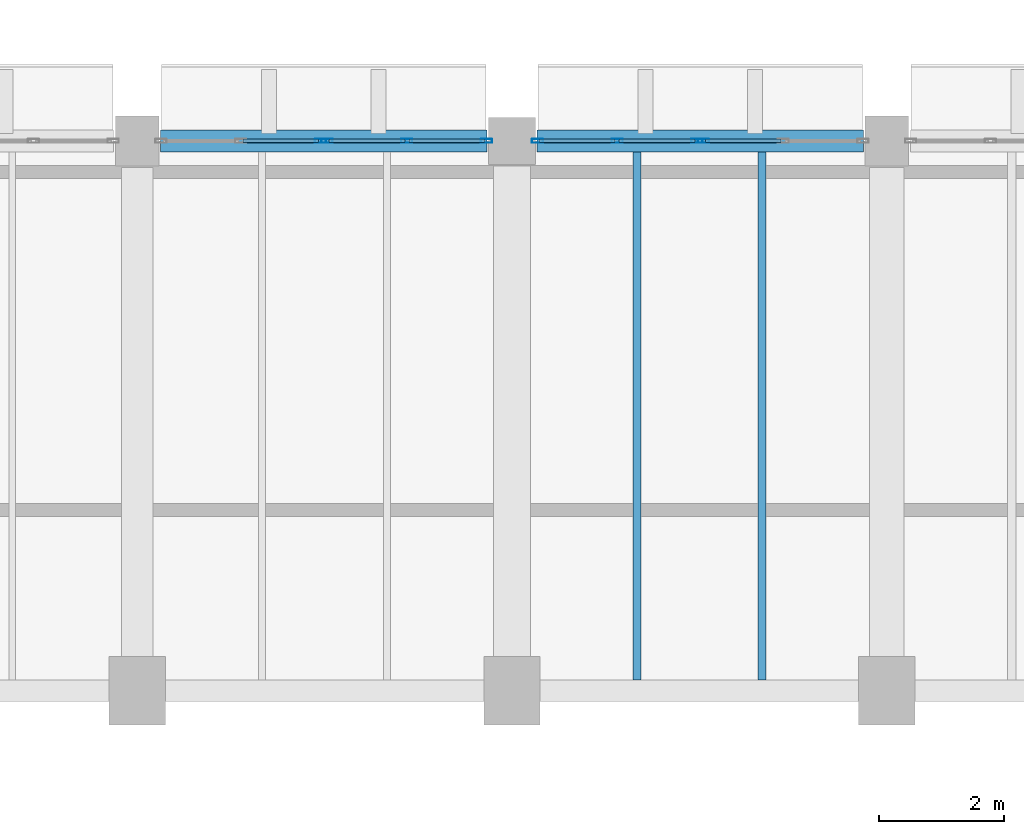
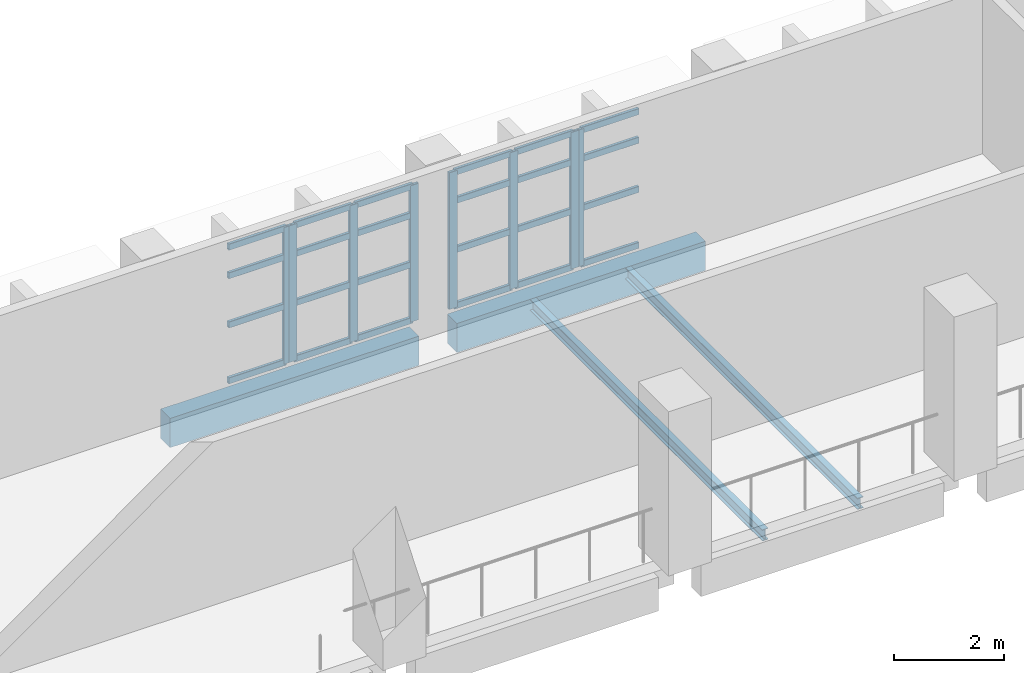
# One storey, part 42 of 80: 32 members, 4 beams, 4 elements without a shape of their own.
"""IFC4 building model written with IfcOpenShell, lengths in metres."""

from ifc_helpers import new_model, si_unit, direction, frame, origin, origin_2d, place, context, subcontext, project, spatial, rectangle, hollow_rectangle, i_section, extrude, material, material_profile, profile_set, type_object, element, aggregate, save


model = new_model("IFC4")

# Units and contexts
model_context = context("Model", 3, precision=1e-05, world=origin(), true_north=direction((0.0, 1.0)))
body_context = subcontext(model_context, "Body", "Model", "MODEL_VIEW")
ifc_project = project(units=[si_unit("LENGTHUNIT", "METRE"), si_unit("AREAUNIT", "SQUARE_METRE"), si_unit("VOLUMEUNIT", "CUBIC_METRE"), si_unit("PLANEANGLEUNIT", "RADIAN"), si_unit("MASSUNIT", "GRAM", prefix="KILO")], contexts=[model_context])

# Site, building, storey
site_placement = place(None, origin())
site = spatial("IfcSite", under=ifc_project, at=site_placement, CompositionType="ELEMENT")
building_placement = place(site_placement, origin())
building = spatial("IfcBuilding", under=site, at=building_placement, Name="Varnakota Cinema and Media Centre", CompositionType="ELEMENT")
storey_placement = place(building_placement, frame((0.0, 0.0, 4.5)))
storey = spatial("IfcBuildingStorey", under=building, at=storey_placement, Name="L01", CompositionType="ELEMENT", Elevation=4.5)

# Beams
ifc_material_1 = material(Name="Concrete M40", Category="concrete")
ifc_material_profile_1 = material_profile(ifc_material_1, rectangle(XDim=0.35009765625, YDim=0.64990234375, at=origin_2d()), Name="RCB 350x650")
ifc_profile_set_1 = profile_set([ifc_material_profile_1], Name="Concrete M40")
beam_type_1 = type_object("IfcBeamType", Name="BM-SP-350x650", PredefinedType="SPANDREL", material=ifc_profile_set_1)
for number, where, z_axis, x_axis, name in (
    (1, (117.375, 44.0, -0.574951171875), (1.0, 0.0, 0.0), (0.0, 1.0, 0.0), "L01 girder S-T/6"),
    (2, (123.39990234375, 44.0, -0.574951171875), (1.0, 0.0, 0.0), (0.0, 1.0, 0.0), "L01 girder T-U/6"),
):
    element("IfcBeam", number, at=place(storey_placement, frame(where, z_axis=z_axis, x_axis=x_axis)), inside=storey, type_object=beam_type_1, Name=name, PredefinedType="SPANDREL", context=body_context, shape_type="SweptSolid", body=[
        extrude(rectangle(XDim=0.35009765625, YDim=0.64990234375, at=origin_2d()), origin(), (0.0, 0.0, 1.0), 5.22509765625),
    ])
ifc_material_2 = material(Name="Structural steel Grade 350 (E350)", Category="steel")
ifc_material_profile_2 = material_profile(ifc_material_2, i_section(OverallWidth=0.125, OverallDepth=0.25, WebThickness=0.0068359375, FlangeThickness=0.012451171875, FilletRadius=0.012939453125, at=origin_2d()), Name="ISMB 250")
ifc_profile_set_2 = profile_set([ifc_material_profile_2], Name="Structural steel Grade 350 (E350)")
beam_type_2 = type_object("IfcBeamType", Name="BM-ST-ISMB250", PredefinedType="JOIST", material=ifc_profile_set_2)
for number, where, z_axis, x_axis, name in (
    (3, (125.0, 35.375, -0.375), (0.0, 1.0, 0.0), (-1.0, 0.0, 0.0), "L01 steel joist T-U/5-6 #1"),
    (4, (127.0, 35.375, -0.375), (0.0, 1.0, 0.0), (-1.0, 0.0, 0.0), "L01 steel joist T-U/5-6 #2"),
):
    element("IfcBeam", number, at=place(storey_placement, frame(where, z_axis=z_axis, x_axis=x_axis)), inside=storey, type_object=beam_type_2, Name=name, PredefinedType="JOIST", context=body_context, shape_type="SweptSolid", body=[
        extrude(i_section(OverallWidth=0.125, OverallDepth=0.25, WebThickness=0.0068359375, FlangeThickness=0.012451171875, FilletRadius=0.012939453125, at=origin_2d()), origin(), (0.0, 0.0, 1.0), 8.449951171875),
    ])

# Curtain wall, member
ifc_material_3 = material(Name="Thermally broken anodised aluminium AW-6063", Category="aluminium")
curtain_wall_type = type_object("IfcCurtainWallType", Name="CW-STD-262x304", PredefinedType="USERDEFINED", material=ifc_material_3)
curtain_wall_1_placement = place(storey_placement, origin())
curtain_wall_1 = element("IfcCurtainWall", 5, at=curtain_wall_1_placement, inside=storey, type_object=curtain_wall_type, Name="L01 curtain wall CW-L01-V1-N-08-1", ObjectType="UNITISED CURTAIN WALL", PredefinedType="USERDEFINED")
ifc_material_4 = material(Name="Thermally broken anodised aluminium AW-6063", Category="aluminium")
ifc_material_profile_3 = material_profile(ifc_material_4, hollow_rectangle(XDim=0.06494140625, YDim=0.179931640625, WallThickness=0.00390625, InnerFilletRadius=0.00390625, OuterFilletRadius=0.008056640625, at=origin_2d()), Name="AL-MULLION 180x65x4")
ifc_profile_set_3 = profile_set([ifc_material_profile_3], Name="Thermally broken anodised aluminium AW-6063")
member_type_1 = type_object("IfcMemberType", Name="CWM-AL-180", PredefinedType="MULLION", material=ifc_profile_set_3)
member_1_placement = place(storey_placement, frame((119.93505859375, 44.0, 0.0), z_axis=(0.0, 0.0, 1.0), x_axis=(0.0, 1.0, 0.0)))
member_1 = element("IfcMember", 6, at=member_1_placement, type_object=member_type_1, Name="CW17 mullion 3", PredefinedType="MULLION", context=body_context, shape_type="SweptSolid", body=[
    extrude(hollow_rectangle(XDim=0.06494140625, YDim=0.179931640625, WallThickness=0.00390625, InnerFilletRadius=0.00390625, OuterFilletRadius=0.008056640625, at=origin_2d()), origin(), (0.0, 0.0, 1.0), 3.034912109375),
])

# Curtain wall, members
curtain_wall_2_placement = place(storey_placement, origin())
curtain_wall_2 = element("IfcCurtainWall", 7, at=curtain_wall_2_placement, inside=storey, type_object=curtain_wall_type, Name="L01 curtain wall CW-L01-V1-N-08-2", ObjectType="UNITISED CURTAIN WALL", PredefinedType="USERDEFINED")
member_2_placement = place(storey_placement, frame((120.0400390625, 44.0, 0.0), z_axis=(0.0, 0.0, 1.0), x_axis=(0.0, 1.0, 0.0)))
member_2 = element("IfcMember", 8, at=member_2_placement, type_object=member_type_1, Name="CW17 mullion 1", PredefinedType="MULLION", context=body_context, shape_type="SweptSolid", body=[
    extrude(hollow_rectangle(XDim=0.06494140625, YDim=0.179931640625, WallThickness=0.00390625, InnerFilletRadius=0.00390625, OuterFilletRadius=0.008056640625, at=origin_2d()), origin(), (0.0, 0.0, 1.0), 3.034912109375),
])
member_3_placement = place(storey_placement, frame((121.316162109375, 44.0, 0.0), z_axis=(0.0, 0.0, 1.0), x_axis=(0.0, 1.0, 0.0)))
member_3 = element("IfcMember", 9, at=member_3_placement, type_object=member_type_1, Name="CW17 mullion 2", PredefinedType="MULLION", context=body_context, shape_type="SweptSolid", body=[
    extrude(hollow_rectangle(XDim=0.06494140625, YDim=0.179931640625, WallThickness=0.00390625, InnerFilletRadius=0.00390625, OuterFilletRadius=0.008056640625, at=origin_2d()), origin(), (0.0, 0.0, 1.0), 3.034912109375),
])
member_4_placement = place(storey_placement, frame((122.592529296875, 44.0, 0.0), z_axis=(0.0, 0.0, 1.0), x_axis=(0.0, 1.0, 0.0)))
member_4 = element("IfcMember", 10, at=member_4_placement, type_object=member_type_1, Name="CW17 mullion 3", PredefinedType="MULLION", context=body_context, shape_type="SweptSolid", body=[
    extrude(hollow_rectangle(XDim=0.06494140625, YDim=0.179931640625, WallThickness=0.00390625, InnerFilletRadius=0.00390625, OuterFilletRadius=0.008056640625, at=origin_2d()), origin(), (0.0, 0.0, 1.0), 3.034912109375),
])

curtain_wall_3_placement = place(storey_placement, origin())
curtain_wall_3 = element("IfcCurtainWall", 11, at=curtain_wall_3_placement, inside=storey, type_object=curtain_wall_type, Name="L01 curtain wall CW-L01-V1-N-09-1", ObjectType="UNITISED CURTAIN WALL", PredefinedType="USERDEFINED")
member_5_placement = place(storey_placement, frame((123.407470703125, 44.0, 0.0), z_axis=(0.0, 0.0, 1.0), x_axis=(0.0, 1.0, 0.0)))
member_5 = element("IfcMember", 12, at=member_5_placement, type_object=member_type_1, Name="CW17 mullion 1", PredefinedType="MULLION", context=body_context, shape_type="SweptSolid", body=[
    extrude(hollow_rectangle(XDim=0.06494140625, YDim=0.179931640625, WallThickness=0.00390625, InnerFilletRadius=0.00390625, OuterFilletRadius=0.008056640625, at=origin_2d()), origin(), (0.0, 0.0, 1.0), 3.034912109375),
])
member_6_placement = place(storey_placement, frame((124.683837890625, 44.0, 0.0), z_axis=(0.0, 0.0, 1.0), x_axis=(0.0, 1.0, 0.0)))
member_6 = element("IfcMember", 13, at=member_6_placement, type_object=member_type_1, Name="CW17 mullion 2", PredefinedType="MULLION", context=body_context, shape_type="SweptSolid", body=[
    extrude(hollow_rectangle(XDim=0.06494140625, YDim=0.179931640625, WallThickness=0.00390625, InnerFilletRadius=0.00390625, OuterFilletRadius=0.008056640625, at=origin_2d()), origin(), (0.0, 0.0, 1.0), 3.034912109375),
])
member_7_placement = place(storey_placement, frame((125.9599609375, 44.0, 0.0), z_axis=(0.0, 0.0, 1.0), x_axis=(0.0, 1.0, 0.0)))
member_7 = element("IfcMember", 14, at=member_7_placement, type_object=member_type_1, Name="CW17 mullion 3", PredefinedType="MULLION", context=body_context, shape_type="SweptSolid", body=[
    extrude(hollow_rectangle(XDim=0.06494140625, YDim=0.179931640625, WallThickness=0.00390625, InnerFilletRadius=0.00390625, OuterFilletRadius=0.008056640625, at=origin_2d()), origin(), (0.0, 0.0, 1.0), 3.034912109375),
])

# Curtain wall, member
curtain_wall_4_placement = place(storey_placement, origin())
curtain_wall_4 = element("IfcCurtainWall", 15, at=curtain_wall_4_placement, inside=storey, type_object=curtain_wall_type, Name="L01 curtain wall CW-L01-V1-N-09-2", ObjectType="UNITISED CURTAIN WALL", PredefinedType="USERDEFINED")
member_8_placement = place(storey_placement, frame((126.06494140625, 44.0, 0.0), z_axis=(0.0, 0.0, 1.0), x_axis=(0.0, 1.0, 0.0)))
member_8 = element("IfcMember", 16, at=member_8_placement, type_object=member_type_1, Name="CW17 mullion 1", PredefinedType="MULLION", context=body_context, shape_type="SweptSolid", body=[
    extrude(hollow_rectangle(XDim=0.06494140625, YDim=0.179931640625, WallThickness=0.00390625, InnerFilletRadius=0.00390625, OuterFilletRadius=0.008056640625, at=origin_2d()), origin(), (0.0, 0.0, 1.0), 3.034912109375),
])

# Member
ifc_material_5 = material(Name="Thermally broken anodised aluminium AW-6063", Category="aluminium")
ifc_material_profile_4 = material_profile(ifc_material_5, hollow_rectangle(XDim=0.06494140625, YDim=0.139892578125, WallThickness=0.00390625, InnerFilletRadius=0.00390625, OuterFilletRadius=0.008056640625, at=origin_2d()), Name="AL-TRANSOM 140x65x4")
ifc_profile_set_4 = profile_set([ifc_material_profile_4], Name="Thermally broken anodised aluminium AW-6063")
member_type_2 = type_object("IfcMemberType", Name="CWT-AL-140", PredefinedType="USERDEFINED", material=ifc_profile_set_4)
member_9_placement = place(storey_placement, frame((118.691162109375, 44.0, 0.032470703125), z_axis=(1.0, 0.0, 0.0), x_axis=(0.0, 1.0, 0.0)))
member_9 = element("IfcMember", 17, at=member_9_placement, type_object=member_type_2, Name="CW17 transom 2.1", ObjectType="TRANSOM", PredefinedType="USERDEFINED", context=body_context, shape_type="SweptSolid", body=[
    extrude(hollow_rectangle(XDim=0.06494140625, YDim=0.139892578125, WallThickness=0.00390625, InnerFilletRadius=0.00390625, OuterFilletRadius=0.008056640625, at=origin_2d()), origin(), (0.0, 0.0, 1.0), 1.21142578125),
])

member_10_placement = place(storey_placement, frame((118.691162109375, 44.0, 1.274658203125), z_axis=(1.0, 0.0, 0.0), x_axis=(0.0, 1.0, 0.0)))
member_10 = element("IfcMember", 18, at=member_10_placement, type_object=member_type_2, Name="CW17 transom 2.2", ObjectType="TRANSOM", PredefinedType="USERDEFINED", context=body_context, shape_type="SweptSolid", body=[
    extrude(hollow_rectangle(XDim=0.06494140625, YDim=0.139892578125, WallThickness=0.00390625, InnerFilletRadius=0.00390625, OuterFilletRadius=0.008056640625, at=origin_2d()), origin(), (0.0, 0.0, 1.0), 1.21142578125),
])

member_11_placement = place(storey_placement, frame((118.691162109375, 44.0, 2.3671875), z_axis=(1.0, 0.0, 0.0), x_axis=(0.0, 1.0, 0.0)))
member_11 = element("IfcMember", 19, at=member_11_placement, type_object=member_type_2, Name="CW17 transom 2.3", ObjectType="TRANSOM", PredefinedType="USERDEFINED", context=body_context, shape_type="SweptSolid", body=[
    extrude(hollow_rectangle(XDim=0.06494140625, YDim=0.139892578125, WallThickness=0.00390625, InnerFilletRadius=0.00390625, OuterFilletRadius=0.008056640625, at=origin_2d()), origin(), (0.0, 0.0, 1.0), 1.21142578125),
])

member_12_placement = place(storey_placement, frame((118.691162109375, 44.0, 3.00244140625), z_axis=(1.0, 0.0, 0.0), x_axis=(0.0, 1.0, 0.0)))
member_12 = element("IfcMember", 20, at=member_12_placement, type_object=member_type_2, Name="CW17 transom 2.4", ObjectType="TRANSOM", PredefinedType="USERDEFINED", context=body_context, shape_type="SweptSolid", body=[
    extrude(hollow_rectangle(XDim=0.06494140625, YDim=0.139892578125, WallThickness=0.00390625, InnerFilletRadius=0.00390625, OuterFilletRadius=0.008056640625, at=origin_2d()), origin(), (0.0, 0.0, 1.0), 1.21142578125),
])

aggregate(curtain_wall_1, [member_1, member_9, member_10, member_11, member_12])

member_13_placement = place(storey_placement, frame((120.072509765625, 44.0, 0.032470703125), z_axis=(1.0, 0.0, 0.0), x_axis=(0.0, 1.0, 0.0)))
member_13 = element("IfcMember", 21, at=member_13_placement, type_object=member_type_2, Name="CW17 transom 1.1", ObjectType="TRANSOM", PredefinedType="USERDEFINED", context=body_context, shape_type="SweptSolid", body=[
    extrude(hollow_rectangle(XDim=0.06494140625, YDim=0.139892578125, WallThickness=0.00390625, InnerFilletRadius=0.00390625, OuterFilletRadius=0.008056640625, at=origin_2d()), origin(), (0.0, 0.0, 1.0), 1.211181640625),
])

member_14_placement = place(storey_placement, frame((120.072509765625, 44.0, 1.274658203125), z_axis=(1.0, 0.0, 0.0), x_axis=(0.0, 1.0, 0.0)))
member_14 = element("IfcMember", 22, at=member_14_placement, type_object=member_type_2, Name="CW17 transom 1.2", ObjectType="TRANSOM", PredefinedType="USERDEFINED", context=body_context, shape_type="SweptSolid", body=[
    extrude(hollow_rectangle(XDim=0.06494140625, YDim=0.139892578125, WallThickness=0.00390625, InnerFilletRadius=0.00390625, OuterFilletRadius=0.008056640625, at=origin_2d()), origin(), (0.0, 0.0, 1.0), 1.211181640625),
])

member_15_placement = place(storey_placement, frame((120.072509765625, 44.0, 2.3671875), z_axis=(1.0, 0.0, 0.0), x_axis=(0.0, 1.0, 0.0)))
member_15 = element("IfcMember", 23, at=member_15_placement, type_object=member_type_2, Name="CW17 transom 1.3", ObjectType="TRANSOM", PredefinedType="USERDEFINED", context=body_context, shape_type="SweptSolid", body=[
    extrude(hollow_rectangle(XDim=0.06494140625, YDim=0.139892578125, WallThickness=0.00390625, InnerFilletRadius=0.00390625, OuterFilletRadius=0.008056640625, at=origin_2d()), origin(), (0.0, 0.0, 1.0), 1.211181640625),
])

member_16_placement = place(storey_placement, frame((120.072509765625, 44.0, 3.00244140625), z_axis=(1.0, 0.0, 0.0), x_axis=(0.0, 1.0, 0.0)))
member_16 = element("IfcMember", 24, at=member_16_placement, type_object=member_type_2, Name="CW17 transom 1.4", ObjectType="TRANSOM", PredefinedType="USERDEFINED", context=body_context, shape_type="SweptSolid", body=[
    extrude(hollow_rectangle(XDim=0.06494140625, YDim=0.139892578125, WallThickness=0.00390625, InnerFilletRadius=0.00390625, OuterFilletRadius=0.008056640625, at=origin_2d()), origin(), (0.0, 0.0, 1.0), 1.211181640625),
])

member_17_placement = place(storey_placement, frame((121.3486328125, 44.0, 0.032470703125), z_axis=(1.0, 0.0, 0.0), x_axis=(0.0, 1.0, 0.0)))
member_17 = element("IfcMember", 25, at=member_17_placement, type_object=member_type_2, Name="CW17 transom 2.1", ObjectType="TRANSOM", PredefinedType="USERDEFINED", context=body_context, shape_type="SweptSolid", body=[
    extrude(hollow_rectangle(XDim=0.06494140625, YDim=0.139892578125, WallThickness=0.00390625, InnerFilletRadius=0.00390625, OuterFilletRadius=0.008056640625, at=origin_2d()), origin(), (0.0, 0.0, 1.0), 1.21142578125),
])

member_18_placement = place(storey_placement, frame((121.3486328125, 44.0, 1.274658203125), z_axis=(1.0, 0.0, 0.0), x_axis=(0.0, 1.0, 0.0)))
member_18 = element("IfcMember", 26, at=member_18_placement, type_object=member_type_2, Name="CW17 transom 2.2", ObjectType="TRANSOM", PredefinedType="USERDEFINED", context=body_context, shape_type="SweptSolid", body=[
    extrude(hollow_rectangle(XDim=0.06494140625, YDim=0.139892578125, WallThickness=0.00390625, InnerFilletRadius=0.00390625, OuterFilletRadius=0.008056640625, at=origin_2d()), origin(), (0.0, 0.0, 1.0), 1.21142578125),
])

member_19_placement = place(storey_placement, frame((121.3486328125, 44.0, 2.3671875), z_axis=(1.0, 0.0, 0.0), x_axis=(0.0, 1.0, 0.0)))
member_19 = element("IfcMember", 27, at=member_19_placement, type_object=member_type_2, Name="CW17 transom 2.3", ObjectType="TRANSOM", PredefinedType="USERDEFINED", context=body_context, shape_type="SweptSolid", body=[
    extrude(hollow_rectangle(XDim=0.06494140625, YDim=0.139892578125, WallThickness=0.00390625, InnerFilletRadius=0.00390625, OuterFilletRadius=0.008056640625, at=origin_2d()), origin(), (0.0, 0.0, 1.0), 1.21142578125),
])

member_20_placement = place(storey_placement, frame((121.3486328125, 44.0, 3.00244140625), z_axis=(1.0, 0.0, 0.0), x_axis=(0.0, 1.0, 0.0)))
member_20 = element("IfcMember", 28, at=member_20_placement, type_object=member_type_2, Name="CW17 transom 2.4", ObjectType="TRANSOM", PredefinedType="USERDEFINED", context=body_context, shape_type="SweptSolid", body=[
    extrude(hollow_rectangle(XDim=0.06494140625, YDim=0.139892578125, WallThickness=0.00390625, InnerFilletRadius=0.00390625, OuterFilletRadius=0.008056640625, at=origin_2d()), origin(), (0.0, 0.0, 1.0), 1.21142578125),
])

aggregate(curtain_wall_2, [member_2, member_3, member_4, member_13, member_14, member_15, member_16, member_17, member_18, member_19, member_20])

member_21_placement = place(storey_placement, frame((123.43994140625, 44.0, 0.032470703125), z_axis=(1.0, 0.0, 0.0), x_axis=(0.0, 1.0, 0.0)))
member_21 = element("IfcMember", 29, at=member_21_placement, type_object=member_type_2, Name="CW17 transom 1.1", ObjectType="TRANSOM", PredefinedType="USERDEFINED", context=body_context, shape_type="SweptSolid", body=[
    extrude(hollow_rectangle(XDim=0.06494140625, YDim=0.139892578125, WallThickness=0.00390625, InnerFilletRadius=0.00390625, OuterFilletRadius=0.008056640625, at=origin_2d()), origin(), (0.0, 0.0, 1.0), 1.21142578125),
])

member_22_placement = place(storey_placement, frame((123.43994140625, 44.0, 1.274658203125), z_axis=(1.0, 0.0, 0.0), x_axis=(0.0, 1.0, 0.0)))
member_22 = element("IfcMember", 30, at=member_22_placement, type_object=member_type_2, Name="CW17 transom 1.2", ObjectType="TRANSOM", PredefinedType="USERDEFINED", context=body_context, shape_type="SweptSolid", body=[
    extrude(hollow_rectangle(XDim=0.06494140625, YDim=0.139892578125, WallThickness=0.00390625, InnerFilletRadius=0.00390625, OuterFilletRadius=0.008056640625, at=origin_2d()), origin(), (0.0, 0.0, 1.0), 1.21142578125),
])

member_23_placement = place(storey_placement, frame((123.43994140625, 44.0, 2.3671875), z_axis=(1.0, 0.0, 0.0), x_axis=(0.0, 1.0, 0.0)))
member_23 = element("IfcMember", 31, at=member_23_placement, type_object=member_type_2, Name="CW17 transom 1.3", ObjectType="TRANSOM", PredefinedType="USERDEFINED", context=body_context, shape_type="SweptSolid", body=[
    extrude(hollow_rectangle(XDim=0.06494140625, YDim=0.139892578125, WallThickness=0.00390625, InnerFilletRadius=0.00390625, OuterFilletRadius=0.008056640625, at=origin_2d()), origin(), (0.0, 0.0, 1.0), 1.21142578125),
])

member_24_placement = place(storey_placement, frame((123.43994140625, 44.0, 3.00244140625), z_axis=(1.0, 0.0, 0.0), x_axis=(0.0, 1.0, 0.0)))
member_24 = element("IfcMember", 32, at=member_24_placement, type_object=member_type_2, Name="CW17 transom 1.4", ObjectType="TRANSOM", PredefinedType="USERDEFINED", context=body_context, shape_type="SweptSolid", body=[
    extrude(hollow_rectangle(XDim=0.06494140625, YDim=0.139892578125, WallThickness=0.00390625, InnerFilletRadius=0.00390625, OuterFilletRadius=0.008056640625, at=origin_2d()), origin(), (0.0, 0.0, 1.0), 1.21142578125),
])

member_25_placement = place(storey_placement, frame((124.71630859375, 44.0, 0.032470703125), z_axis=(1.0, 0.0, 0.0), x_axis=(0.0, 1.0, 0.0)))
member_25 = element("IfcMember", 33, at=member_25_placement, type_object=member_type_2, Name="CW17 transom 2.1", ObjectType="TRANSOM", PredefinedType="USERDEFINED", context=body_context, shape_type="SweptSolid", body=[
    extrude(hollow_rectangle(XDim=0.06494140625, YDim=0.139892578125, WallThickness=0.00390625, InnerFilletRadius=0.00390625, OuterFilletRadius=0.008056640625, at=origin_2d()), origin(), (0.0, 0.0, 1.0), 1.211181640625),
])

member_26_placement = place(storey_placement, frame((124.71630859375, 44.0, 1.274658203125), z_axis=(1.0, 0.0, 0.0), x_axis=(0.0, 1.0, 0.0)))
member_26 = element("IfcMember", 34, at=member_26_placement, type_object=member_type_2, Name="CW17 transom 2.2", ObjectType="TRANSOM", PredefinedType="USERDEFINED", context=body_context, shape_type="SweptSolid", body=[
    extrude(hollow_rectangle(XDim=0.06494140625, YDim=0.139892578125, WallThickness=0.00390625, InnerFilletRadius=0.00390625, OuterFilletRadius=0.008056640625, at=origin_2d()), origin(), (0.0, 0.0, 1.0), 1.211181640625),
])

member_27_placement = place(storey_placement, frame((124.71630859375, 44.0, 2.3671875), z_axis=(1.0, 0.0, 0.0), x_axis=(0.0, 1.0, 0.0)))
member_27 = element("IfcMember", 35, at=member_27_placement, type_object=member_type_2, Name="CW17 transom 2.3", ObjectType="TRANSOM", PredefinedType="USERDEFINED", context=body_context, shape_type="SweptSolid", body=[
    extrude(hollow_rectangle(XDim=0.06494140625, YDim=0.139892578125, WallThickness=0.00390625, InnerFilletRadius=0.00390625, OuterFilletRadius=0.008056640625, at=origin_2d()), origin(), (0.0, 0.0, 1.0), 1.211181640625),
])

member_28_placement = place(storey_placement, frame((124.71630859375, 44.0, 3.00244140625), z_axis=(1.0, 0.0, 0.0), x_axis=(0.0, 1.0, 0.0)))
member_28 = element("IfcMember", 36, at=member_28_placement, type_object=member_type_2, Name="CW17 transom 2.4", ObjectType="TRANSOM", PredefinedType="USERDEFINED", context=body_context, shape_type="SweptSolid", body=[
    extrude(hollow_rectangle(XDim=0.06494140625, YDim=0.139892578125, WallThickness=0.00390625, InnerFilletRadius=0.00390625, OuterFilletRadius=0.008056640625, at=origin_2d()), origin(), (0.0, 0.0, 1.0), 1.211181640625),
])

aggregate(curtain_wall_3, [member_5, member_6, member_7, member_21, member_22, member_23, member_24, member_25, member_26, member_27, member_28])

member_29_placement = place(storey_placement, frame((126.097412109375, 44.0, 0.032470703125), z_axis=(1.0, 0.0, 0.0), x_axis=(0.0, 1.0, 0.0)))
member_29 = element("IfcMember", 37, at=member_29_placement, type_object=member_type_2, Name="CW17 transom 1.1", ObjectType="TRANSOM", PredefinedType="USERDEFINED", context=body_context, shape_type="SweptSolid", body=[
    extrude(hollow_rectangle(XDim=0.06494140625, YDim=0.139892578125, WallThickness=0.00390625, InnerFilletRadius=0.00390625, OuterFilletRadius=0.008056640625, at=origin_2d()), origin(), (0.0, 0.0, 1.0), 1.21142578125),
])

member_30_placement = place(storey_placement, frame((126.097412109375, 44.0, 1.274658203125), z_axis=(1.0, 0.0, 0.0), x_axis=(0.0, 1.0, 0.0)))
member_30 = element("IfcMember", 38, at=member_30_placement, type_object=member_type_2, Name="CW17 transom 1.2", ObjectType="TRANSOM", PredefinedType="USERDEFINED", context=body_context, shape_type="SweptSolid", body=[
    extrude(hollow_rectangle(XDim=0.06494140625, YDim=0.139892578125, WallThickness=0.00390625, InnerFilletRadius=0.00390625, OuterFilletRadius=0.008056640625, at=origin_2d()), origin(), (0.0, 0.0, 1.0), 1.21142578125),
])

member_31_placement = place(storey_placement, frame((126.097412109375, 44.0, 2.3671875), z_axis=(1.0, 0.0, 0.0), x_axis=(0.0, 1.0, 0.0)))
member_31 = element("IfcMember", 39, at=member_31_placement, type_object=member_type_2, Name="CW17 transom 1.3", ObjectType="TRANSOM", PredefinedType="USERDEFINED", context=body_context, shape_type="SweptSolid", body=[
    extrude(hollow_rectangle(XDim=0.06494140625, YDim=0.139892578125, WallThickness=0.00390625, InnerFilletRadius=0.00390625, OuterFilletRadius=0.008056640625, at=origin_2d()), origin(), (0.0, 0.0, 1.0), 1.21142578125),
])

member_32_placement = place(storey_placement, frame((126.097412109375, 44.0, 3.00244140625), z_axis=(1.0, 0.0, 0.0), x_axis=(0.0, 1.0, 0.0)))
member_32 = element("IfcMember", 40, at=member_32_placement, type_object=member_type_2, Name="CW17 transom 1.4", ObjectType="TRANSOM", PredefinedType="USERDEFINED", context=body_context, shape_type="SweptSolid", body=[
    extrude(hollow_rectangle(XDim=0.06494140625, YDim=0.139892578125, WallThickness=0.00390625, InnerFilletRadius=0.00390625, OuterFilletRadius=0.008056640625, at=origin_2d()), origin(), (0.0, 0.0, 1.0), 1.21142578125),
])

aggregate(curtain_wall_4, [member_8, member_29, member_30, member_31, member_32])

save(model, "model.ifc")
